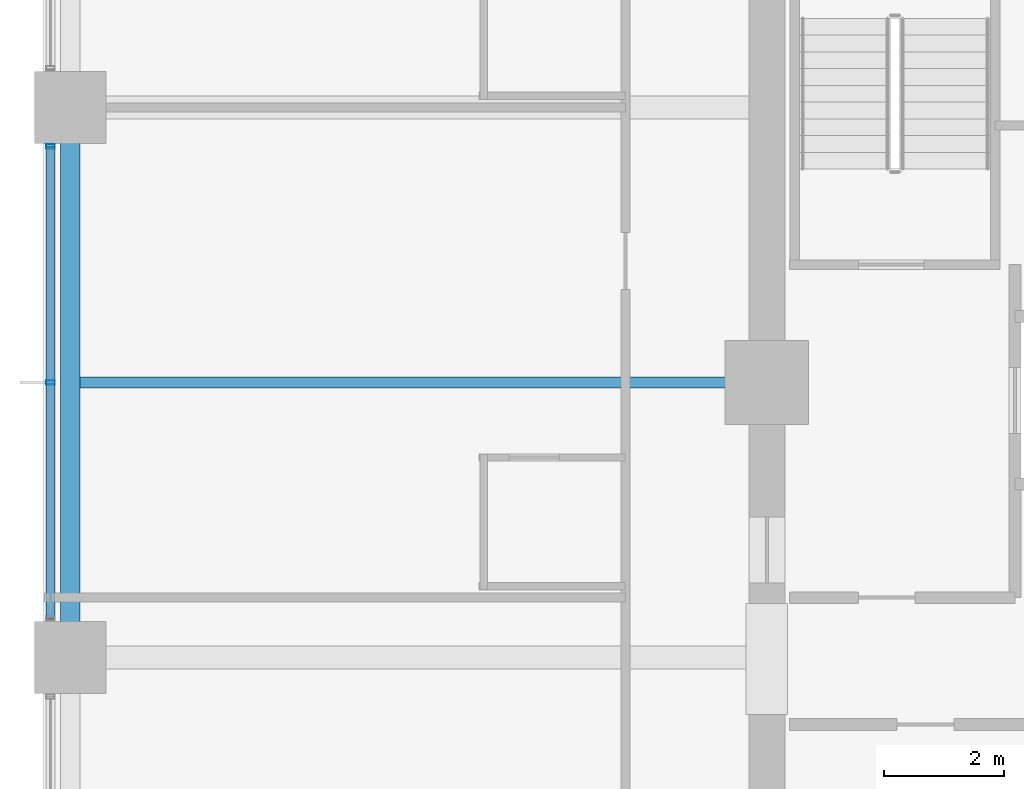
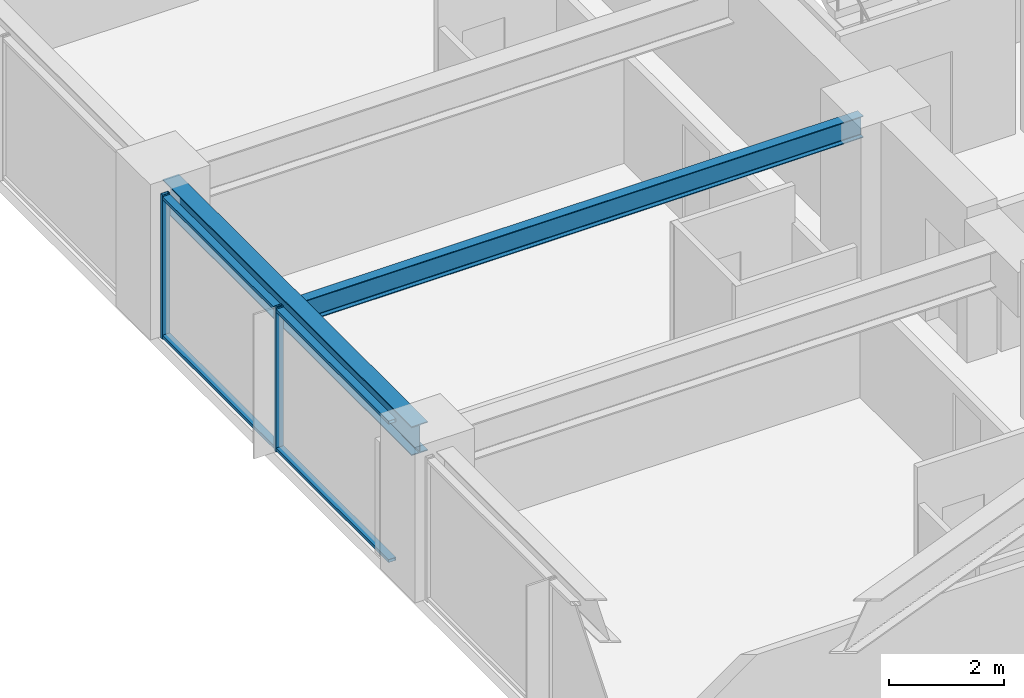
# One storey, part 9 of 38: 4 members, 2 beams, 1 element without a shape of its own.
"""IFC4 building model written with IfcOpenShell, lengths in metres."""

from ifc_helpers import new_model, si_unit, direction, frame, origin, origin_2d, place, context, subcontext, project, spatial, hollow_rectangle, i_section, extrude, material, material_profile, profile_set, type_object, element, aggregate, save


model = new_model("IFC4")

# Units and contexts
model_context = context("Model", 3, precision=1e-05, world=origin(), true_north=direction((0.0, 1.0)))
body_context = subcontext(model_context, "Body", "Model", "MODEL_VIEW")
ifc_project = project(units=[si_unit("LENGTHUNIT", "METRE"), si_unit("AREAUNIT", "SQUARE_METRE"), si_unit("VOLUMEUNIT", "CUBIC_METRE"), si_unit("PLANEANGLEUNIT", "RADIAN"), si_unit("MASSUNIT", "GRAM", prefix="KILO")], contexts=[model_context])

# Site, building, storey
site_placement = place(None, origin())
site = spatial("IfcSite", under=ifc_project, at=site_placement, CompositionType="ELEMENT")
building_placement = place(site_placement, origin())
building = spatial("IfcBuilding", under=site, at=building_placement, Name="Kolvaren Belvedere", CompositionType="ELEMENT")
storey_placement = place(building_placement, frame((0.0, 0.0, 27.10009765625)))
storey = spatial("IfcBuildingStorey", under=building, at=storey_placement, Name="L07", CompositionType="ELEMENT", Elevation=27.10009765625)

# Beams
ifc_material_1 = material(Name="Structural steel ASTM A992 Grade 50", Category="steel")
ifc_material_profile_1 = material_profile(ifc_material_1, i_section(OverallWidth=0.19091796875, OverallDepth=0.4599609375, WebThickness=0.010009765625, FlangeThickness=0.01611328125, FilletRadius=0.014892578125, at=origin_2d()), Name="W18X55")
ifc_profile_set_1 = profile_set([ifc_material_profile_1], Name="Structural steel ASTM A992 Grade 50")
beam_type_1 = type_object("IfcBeamType", Name="BM-JOIST-W18X55", PredefinedType="BEAM", material=ifc_profile_set_1)
beam_1_placement = place(storey_placement, frame((-10.199951171875, 0.0, 2.829833984375), z_axis=(-1.0, 0.0, 0.0), x_axis=(0.0, -1.0, 0.0)))
element("IfcBeam", 1, at=beam_1_placement, inside=storey, type_object=beam_type_1, Name="L07 West Centre Floor Beam", PredefinedType="BEAM", context=body_context, shape_type="SweptSolid", body=[
    extrude(i_section(OverallWidth=0.19091796875, OverallDepth=0.4599609375, WebThickness=0.010009765625, FlangeThickness=0.01611328125, FilletRadius=0.014892578125, at=origin_2d()), origin(), (0.0, 0.0, 1.0), 11.1875),
])
ifc_material_2 = material(Name="Structural steel ASTM A992 Grade 50", Category="steel")
ifc_material_profile_2 = material_profile(ifc_material_2, i_section(OverallWidth=0.324951171875, OverallDepth=0.615966796875, WebThickness=0.013916015625, FlangeThickness=0.021484375, FilletRadius=0.02001953125, at=origin_2d()), Name="W24X117")
ifc_profile_set_2 = profile_set([ifc_material_profile_2], Name="Structural steel ASTM A992 Grade 50")
beam_type_2 = type_object("IfcBeamType", Name="BM-SPAN-W24X117", PredefinedType="SPANDREL", material=ifc_profile_set_2)
beam_2_placement = place(storey_placement, frame((-21.550048828125, 4.330078125, 2.751953125), z_axis=(0.0, -1.0, 0.0), x_axis=(1.0, 0.0, 0.0)))
element("IfcBeam", 2, at=beam_2_placement, inside=storey, type_object=beam_type_2, Name="L07 Perimeter Spandrel W3-W2", PredefinedType="SPANDREL", context=body_context, shape_type="SweptSolid", body=[
    extrude(i_section(OverallWidth=0.324951171875, OverallDepth=0.615966796875, WebThickness=0.013916015625, FlangeThickness=0.021484375, FilletRadius=0.02001953125, at=origin_2d()), origin(), (0.0, 0.0, 1.0), 8.66015625),
])

# Curtain wall, members
ifc_material_3 = material(Name="Anodised pale-metal aluminium AA 6063-T6", Category="aluminium")
curtain_wall_type = type_object("IfcCurtainWallType", Name="CW-Z1-LOW", PredefinedType="NOTDEFINED", material=ifc_material_3)
curtain_wall_placement = place(storey_placement, origin())
curtain_wall = element("IfcCurtainWall", 3, at=curtain_wall_placement, inside=storey, type_object=curtain_wall_type, Name="L07 Unitised Curtain Wall FCW-L07-W-B2", PredefinedType="NOTDEFINED")
ifc_material_4 = material(Name="Anodised pale-metal aluminium AA 6063-T6", Category="aluminium")
ifc_material_profile_3 = material_profile(ifc_material_4, hollow_rectangle(XDim=0.070068359375, YDim=0.14990234375, WallThickness=0.004150390625, at=origin_2d()), Name="ALU-MUL-150X70")
ifc_profile_set_3 = profile_set([ifc_material_profile_3], Name="Anodised pale-metal aluminium AA 6063-T6")
member_type_1 = type_object("IfcMemberType", Name="CW-MUL-150", PredefinedType="MULLION", material=ifc_profile_set_3)
member_1_placement = place(storey_placement, frame((-21.8798828125, 0.0, 0.0), z_axis=(0.0, 0.0, 1.0), x_axis=(0.0, 1.0, 0.0)))
member_1 = element("IfcMember", 4, at=member_1_placement, type_object=member_type_1, Name="FCW-L07-W-B2 Unitised Mullion 2", PredefinedType="MULLION", context=body_context, shape_type="SweptSolid", body=[
    extrude(hollow_rectangle(XDim=0.070068359375, YDim=0.14990234375, WallThickness=0.004150390625, at=origin_2d()), origin(), (0.0, 0.0, 1.0), 3.059814453125),
])
member_2_placement = place(storey_placement, frame((-21.8798828125, 3.945068359375, 0.0), z_axis=(0.0, 0.0, 1.0), x_axis=(0.0, 1.0, 0.0)))
member_2 = element("IfcMember", 5, at=member_2_placement, type_object=member_type_1, Name="FCW-L07-W-B2 Unitised Mullion 3", PredefinedType="MULLION", context=body_context, shape_type="SweptSolid", body=[
    extrude(hollow_rectangle(XDim=0.070068359375, YDim=0.14990234375, WallThickness=0.004150390625, at=origin_2d()), origin(), (0.0, 0.0, 1.0), 3.059814453125),
])
ifc_material_5 = material(Name="Anodised pale-metal aluminium AA 6063-T6", Category="aluminium")
ifc_material_profile_4 = material_profile(ifc_material_5, hollow_rectangle(XDim=0.06494140625, YDim=0.14990234375, WallThickness=0.00390625, at=origin_2d()), Name="ALU-TRN-150X65")
ifc_profile_set_4 = profile_set([ifc_material_profile_4], Name="Anodised pale-metal aluminium AA 6063-T6")
member_type_2 = type_object("IfcMemberType", Name="CW-TRN-150", PredefinedType="USERDEFINED", material=ifc_profile_set_4)
member_3_placement = place(storey_placement, frame((-21.8798828125, -3.945068359375, 0.059814453125), z_axis=(0.0, 1.0, 0.0), x_axis=(0.0, 0.0, 1.0)))
member_3 = element("IfcMember", 6, at=member_3_placement, type_object=member_type_2, Name="FCW-L07-W-B2 Sill Transom", ObjectType="TRANSOM", PredefinedType="USERDEFINED", context=body_context, shape_type="SweptSolid", body=[
    extrude(hollow_rectangle(XDim=0.06494140625, YDim=0.14990234375, WallThickness=0.00390625, at=origin_2d()), origin(), (0.0, 0.0, 1.0), 7.89013671875),
])
member_4_placement = place(storey_placement, frame((-21.8798828125, -3.945068359375, 3.0), z_axis=(0.0, 1.0, 0.0), x_axis=(0.0, 0.0, 1.0)))
member_4 = element("IfcMember", 7, at=member_4_placement, type_object=member_type_2, Name="FCW-L07-W-B2 Head Transom", ObjectType="TRANSOM", PredefinedType="USERDEFINED", context=body_context, shape_type="SweptSolid", body=[
    extrude(hollow_rectangle(XDim=0.06494140625, YDim=0.14990234375, WallThickness=0.00390625, at=origin_2d()), origin(), (0.0, 0.0, 1.0), 7.89013671875),
])
aggregate(curtain_wall, [member_1, member_2, member_3, member_4])

save(model, "model.ifc")
